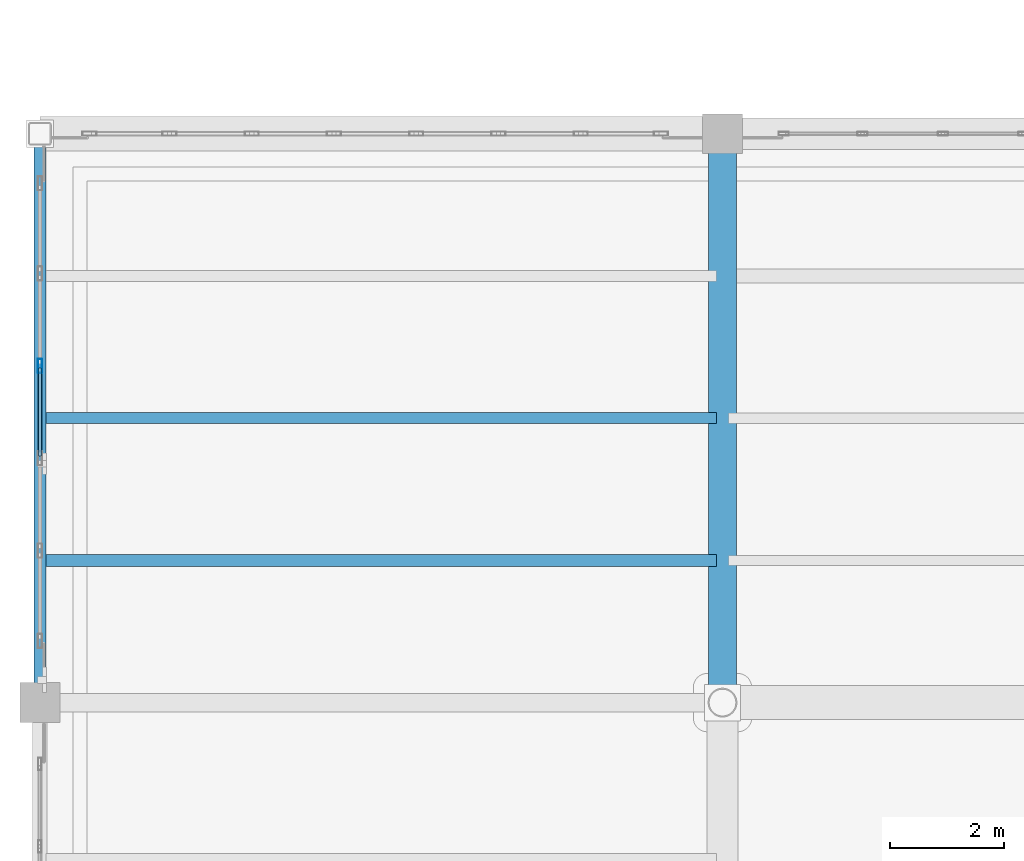
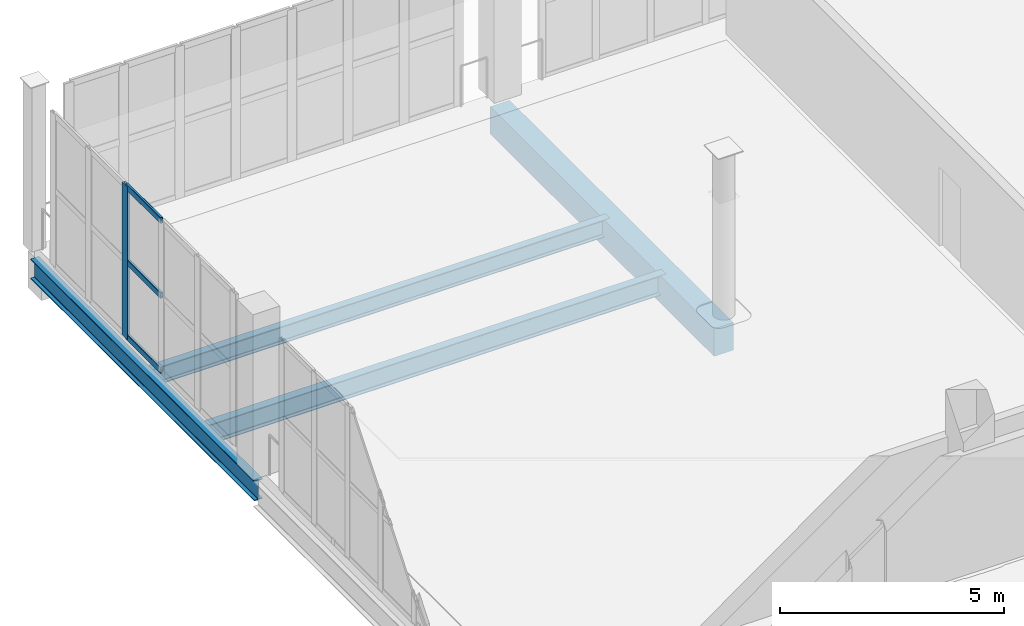
# One storey, part 17 of 108: 4 beams, 4 members, 1 element without a shape of its own.
"""IFC4 building model written with IfcOpenShell, lengths in metres."""

from ifc_helpers import new_model, si_unit, direction, frame, origin, origin_2d, place, context, subcontext, project, spatial, rectangle, hollow_rectangle, i_section, extrude, material, layer, layer_set, material_profile, profile_set, type_object, element, aggregate, save


model = new_model("IFC4")

# Units and contexts
model_context = context("Model", 3, precision=1e-05, world=origin(), true_north=direction((0.0, 1.0)))
body_context = subcontext(model_context, "Body", "Model", "MODEL_VIEW")
ifc_project = project(units=[si_unit("LENGTHUNIT", "METRE"), si_unit("AREAUNIT", "SQUARE_METRE"), si_unit("VOLUMEUNIT", "CUBIC_METRE"), si_unit("PLANEANGLEUNIT", "RADIAN"), si_unit("MASSUNIT", "GRAM", prefix="KILO")], contexts=[model_context])

# Site, building, storey
site_placement = place(None, origin())
site = spatial("IfcSite", under=ifc_project, at=site_placement, CompositionType="ELEMENT")
building_placement = place(site_placement, origin())
building = spatial("IfcBuilding", under=site, at=building_placement, Name="Brinegate Civic Arena", CompositionType="ELEMENT")
storey_placement = place(building_placement, frame((0.0, 0.0, 10.199951171875)))
storey = spatial("IfcBuildingStorey", under=building, at=storey_placement, Name="L02", CompositionType="ELEMENT", Elevation=10.199951171875)

# Curtain wall, members
ifc_material_1 = material(Name="Marine grade aluminium", Category="aluminium")
ifc_layer = layer(ifc_material_1, 0.18505859375, Name="Marine grade aluminium")
ifc_layer_set = layer_set([ifc_layer], Name="Marine grade aluminium")
curtain_wall_type = type_object("IfcCurtainWallType", Name="CW-WING-GLAZED-03", PredefinedType="USERDEFINED", material=ifc_layer_set)
curtain_wall_placement = place(storey_placement, origin())
curtain_wall = element("IfcCurtainWall", 1, at=curtain_wall_placement, inside=storey, type_object=curtain_wall_type, Name="Curtain Wall CWA-021", ObjectType="GLAZED CURTAIN WALL", PredefinedType="USERDEFINED")
ifc_material_profile_1 = material_profile(ifc_material_1, hollow_rectangle(XDim=0.074951171875, YDim=0.25, WallThickness=0.006103515625, InnerFilletRadius=0.00390625, OuterFilletRadius=0.008056640625, at=origin_2d()), Name="MUL75X250")
ifc_profile_set_1 = profile_set([ifc_material_profile_1], Name="Marine grade aluminium")
member_type_1 = type_object("IfcMemberType", Name="CW-MULLION-75X250", PredefinedType="MULLION", material=ifc_profile_set_1)
member_1_placement = place(storey_placement, frame((0.0, 47.918212890625, 0.0), z_axis=(0.0, 0.0, 1.0), x_axis=(-1.0, 0.0, 0.0)))
member_1 = element("IfcMember", 2, at=member_1_placement, type_object=member_type_1, Name="CWA-021 mullion 4", PredefinedType="MULLION", context=body_context, shape_type="SweptSolid", body=[
    extrude(hollow_rectangle(XDim=0.074951171875, YDim=0.25, WallThickness=0.006103515625, InnerFilletRadius=0.00390625, OuterFilletRadius=0.008056640625, at=origin_2d()), origin(), (0.0, 0.0, 1.0), 4.150146484375),
])
ifc_material_profile_2 = material_profile(ifc_material_1, hollow_rectangle(XDim=0.06494140625, YDim=0.1650390625, WallThickness=0.0048828125, InnerFilletRadius=0.00390625, OuterFilletRadius=0.008056640625, at=origin_2d()), Name="TRN65X165")
ifc_profile_set_2 = profile_set([ifc_material_profile_2], Name="Marine grade aluminium")
member_type_2 = type_object("IfcMemberType", Name="CW-TRANSOM-65X165", PredefinedType="USERDEFINED", material=ifc_profile_set_2)
member_2_placement = place(storey_placement, frame((0.0, 46.331298828125, 0.032470703125), z_axis=(0.0, 1.0, 0.0), x_axis=(-1.0, 0.0, 0.0)))
member_2 = element("IfcMember", 3, at=member_2_placement, type_object=member_type_2, Name="CWA-021 transom 3.1", ObjectType="TRANSOM", PredefinedType="USERDEFINED", context=body_context, shape_type="SweptSolid", body=[
    extrude(hollow_rectangle(XDim=0.06494140625, YDim=0.1650390625, WallThickness=0.0048828125, InnerFilletRadius=0.00390625, OuterFilletRadius=0.008056640625, at=origin_2d()), origin(), (0.0, 0.0, 1.0), 1.54931640625),
])
member_3_placement = place(storey_placement, frame((0.0, 46.331298828125, 2.074951171875), z_axis=(0.0, 1.0, 0.0), x_axis=(-1.0, 0.0, 0.0)))
member_3 = element("IfcMember", 4, at=member_3_placement, type_object=member_type_2, Name="CWA-021 transom 3.2", ObjectType="TRANSOM", PredefinedType="USERDEFINED", context=body_context, shape_type="SweptSolid", body=[
    extrude(hollow_rectangle(XDim=0.06494140625, YDim=0.1650390625, WallThickness=0.0048828125, InnerFilletRadius=0.00390625, OuterFilletRadius=0.008056640625, at=origin_2d()), origin(), (0.0, 0.0, 1.0), 1.54931640625),
])
member_4_placement = place(storey_placement, frame((0.0, 46.331298828125, 4.117431640625), z_axis=(0.0, 1.0, 0.0), x_axis=(-1.0, 0.0, 0.0)))
member_4 = element("IfcMember", 5, at=member_4_placement, type_object=member_type_2, Name="CWA-021 transom 3.3", ObjectType="TRANSOM", PredefinedType="USERDEFINED", context=body_context, shape_type="SweptSolid", body=[
    extrude(hollow_rectangle(XDim=0.06494140625, YDim=0.1650390625, WallThickness=0.0048828125, InnerFilletRadius=0.00390625, OuterFilletRadius=0.008056640625, at=origin_2d()), origin(), (0.0, 0.0, 1.0), 1.54931640625),
])
aggregate(curtain_wall, [member_1, member_2, member_3, member_4])

# Beams
ifc_material_2 = material(Name="Steel S355", Category="steel")
ifc_material_profile_3 = material_profile(ifc_material_2, i_section(OverallWidth=0.195068359375, OverallDepth=0.472900390625, WebThickness=0.011962890625, FlangeThickness=0.02197265625, FilletRadius=0.014892578125, at=origin_2d()), Name="W460X113")
ifc_profile_set_3 = profile_set([ifc_material_profile_3], Name="Steel S355")
beam_type_1 = type_object("IfcBeamType", Name="JOIST-W460X113", PredefinedType="JOIST", material=ifc_profile_set_3)
beam_1_placement = place(storey_placement, frame((0.10595703125, 47.0, -0.56591796875), z_axis=(1.0, 0.0, 0.0), x_axis=(0.0, 1.0, 0.0)))
element("IfcBeam", 6, at=beam_1_placement, inside=storey, type_object=beam_type_1, Name="Secondary Joist BM-L02-JX-00-04-2", PredefinedType="JOIST", context=body_context, shape_type="SweptSolid", body=[
    extrude(i_section(OverallWidth=0.195068359375, OverallDepth=0.472900390625, WebThickness=0.011962890625, FlangeThickness=0.02197265625, FilletRadius=0.014892578125, at=origin_2d()), origin(), (0.0, 0.0, 1.0), 11.7880859375),
])
ifc_material_profile_4 = material_profile(ifc_material_2, i_section(OverallWidth=0.2109375, OverallDepth=0.5390625, WebThickness=0.011962890625, FlangeThickness=0.01904296875, FilletRadius=0.01611328125, at=origin_2d()), Name="W530X109")
ifc_profile_set_4 = profile_set([ifc_material_profile_4], Name="Steel S355")
beam_type_2 = type_object("IfcBeamType", Name="JOIST-W530X109", PredefinedType="JOIST", material=ifc_profile_set_4)
beam_2_placement = place(storey_placement, frame((0.10595703125, 44.5, -0.598876953125), z_axis=(1.0, 0.0, 0.0), x_axis=(0.0, 1.0, 0.0)))
element("IfcBeam", 7, at=beam_2_placement, inside=storey, type_object=beam_type_2, Name="Secondary Joist BM-L02-JX-00-04-1", PredefinedType="JOIST", context=body_context, shape_type="SweptSolid", body=[
    extrude(i_section(OverallWidth=0.2109375, OverallDepth=0.5390625, WebThickness=0.011962890625, FlangeThickness=0.01904296875, FilletRadius=0.01611328125, at=origin_2d()), origin(), (0.0, 0.0, 1.0), 11.7880859375),
])
ifc_material_3 = material(Name="Concrete C50/60", Category="concrete")
ifc_material_profile_5 = material_profile(ifc_material_3, rectangle(XDim=0.5, YDim=0.75, at=origin_2d()), Name="RCB500X750")
ifc_profile_set_5 = profile_set([ifc_material_profile_5], Name="Concrete C50/60")
beam_type_3 = type_object("IfcBeamType", Name="RCG-500X750", PredefinedType="BEAM", material=ifc_profile_set_5)
beam_3_placement = place(storey_placement, frame((12.0, 42.0, -0.704833984375), z_axis=(0.0, 1.0, 0.0), x_axis=(-1.0, 0.0, 0.0)))
element("IfcBeam", 8, at=beam_3_placement, inside=storey, type_object=beam_type_3, Name="Floor Girder BM-L02-GY-01-04", PredefinedType="BEAM", context=body_context, shape_type="SweptSolid", body=[
    extrude(rectangle(XDim=0.5, YDim=0.75, at=origin_2d()), origin(), (0.0, 0.0, 1.0), 10.0),
])
ifc_material_profile_6 = material_profile(ifc_material_2, i_section(OverallWidth=0.2119140625, OverallDepth=0.5439453125, WebThickness=0.012939453125, FlangeThickness=0.02099609375, FilletRadius=0.01611328125, at=origin_2d()), Name="W530X123")
ifc_profile_set_6 = profile_set([ifc_material_profile_6], Name="Steel S355")
beam_type_4 = type_object("IfcBeamType", Name="SPANDREL-W530X123", PredefinedType="SPANDREL", material=ifc_profile_set_6)
beam_4_placement = place(storey_placement, frame((0.0, 42.0, -0.60205078125), z_axis=(0.0, 1.0, 0.0), x_axis=(-1.0, 0.0, 0.0)))
element("IfcBeam", 9, at=beam_4_placement, inside=storey, type_object=beam_type_4, Name="Floor Girder BM-L02-GY-00-04", PredefinedType="SPANDREL", context=body_context, shape_type="SweptSolid", body=[
    extrude(i_section(OverallWidth=0.2119140625, OverallDepth=0.5439453125, WebThickness=0.012939453125, FlangeThickness=0.02099609375, FilletRadius=0.01611328125, at=origin_2d()), origin(), (0.0, 0.0, 1.0), 10.0),
])

save(model, "model.ifc")
